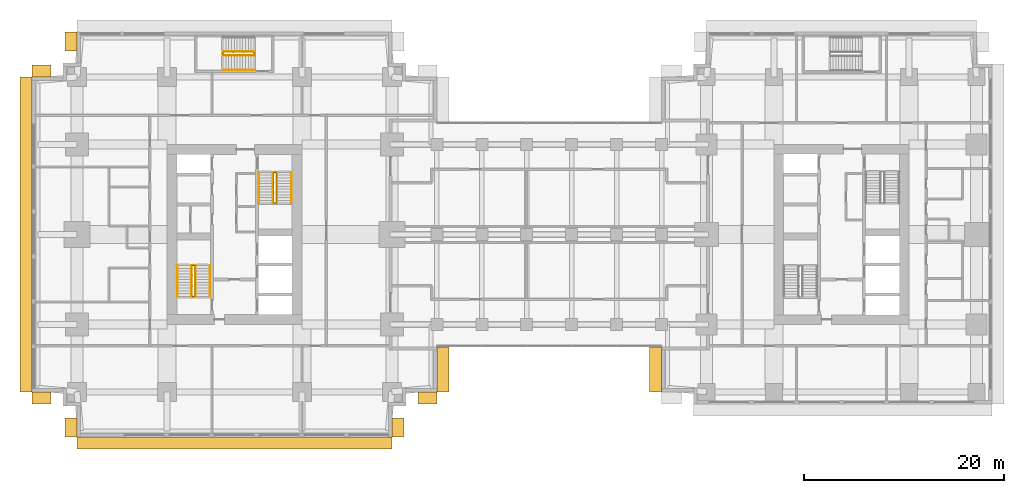
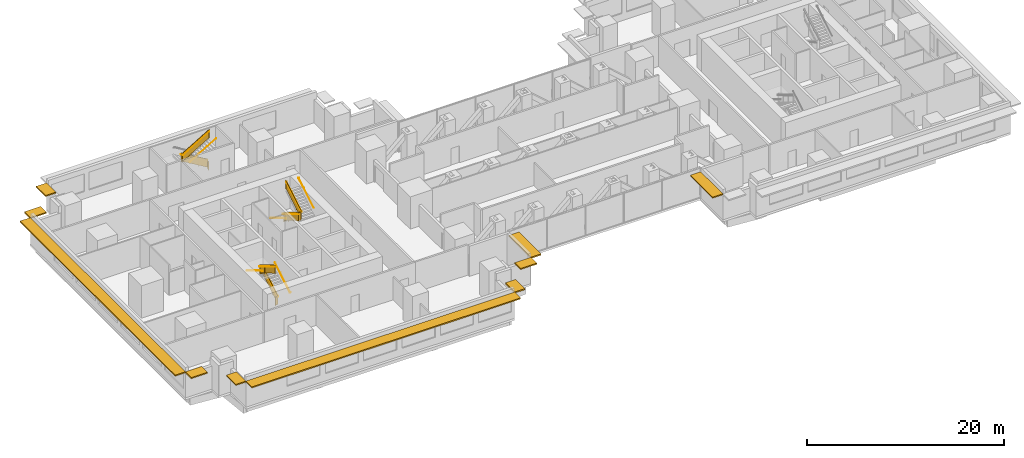
# One storey, part 14 of 16: 14 railings, 10 shading devices.
"""IFC4 building model written with IfcOpenShell, lengths in metres."""

from ifc_helpers import new_model, si_unit, direction, frame, origin, origin_2d, place, context, subcontext, project, spatial, polyline, rectangle, circle, outline, extrude, material, layer, layer_set, type_object, element, save


model = new_model("IFC4")

# Units and contexts
model_context = context("Model", 3, precision=1e-05, world=origin(), true_north=direction((0.0, 1.0)))
body_context = subcontext(model_context, "Body", "Model", "MODEL_VIEW")
ifc_project = project(units=[si_unit("LENGTHUNIT", "METRE"), si_unit("AREAUNIT", "SQUARE_METRE"), si_unit("VOLUMEUNIT", "CUBIC_METRE"), si_unit("PLANEANGLEUNIT", "RADIAN"), si_unit("MASSUNIT", "GRAM", prefix="KILO")], contexts=[model_context])

# Site, building, storey
site_placement = place(None, origin())
site = spatial("IfcSite", under=ifc_project, at=site_placement, CompositionType="ELEMENT")
building_placement = place(site_placement, origin())
building = spatial("IfcBuilding", under=site, at=building_placement, Name="Namib Vertical Campus", CompositionType="ELEMENT")
storey_placement = place(building_placement, frame((0.0, 0.0, 117.0)))
storey = spatial("IfcBuildingStorey", under=building, at=storey_placement, Name="L27", CompositionType="ELEMENT", Elevation=117.0)

# Railings
ifc_material_1 = material(Name="Steel handrail", Category="steel")
railing_type_1 = type_object("IfcRailingType", Name="Handrail 900", PredefinedType="HANDRAIL", material=ifc_material_1)
railing_1_placement = place(storey_placement, frame((17.800048828125, 14.050048828125, 0.166748046875)))
element("IfcRailing", 1, at=railing_1_placement, inside=storey, type_object=railing_type_1, Name="Handrail HR1 A-S1 L27 1", PredefinedType="HANDRAIL", context=body_context, shape_type="SweptSolid", body=[
    extrude(circle(Radius=0.02392578125, at=origin_2d()), frame((0.0, 0.0, 0.8759765625), z_axis=(0.0, 0.859290745958, 0.51148745235), x_axis=(-1.0, 0.0, 0.0)), (0.0, 0.0, 1.0), 3.584228515625),
    extrude(circle(Radius=0.008056640625, at=origin_2d()), frame((0.0, 0.0, 0.8759765625), z_axis=(1.0, 0.0, 0.0), x_axis=(0.0, 0.0, 1.0)), (0.0, 0.0, 1.0), 0.050048828125),
    extrude(circle(Radius=0.008056640625, at=origin_2d()), frame((0.0, 1.026611328125, 1.48681640625), z_axis=(1.0, 0.0, 0.0), x_axis=(0.0, 0.0, 1.0)), (0.0, 0.0, 1.0), 0.050048828125),
    extrude(circle(Radius=0.008056640625, at=origin_2d()), frame((0.0, 2.05322265625, 2.09814453125), z_axis=(1.0, 0.0, 0.0), x_axis=(0.0, 0.0, 1.0)), (0.0, 0.0, 1.0), 0.050048828125),
    extrude(circle(Radius=0.008056640625, at=origin_2d()), frame((0.0, 3.079833984375, 2.708984375), z_axis=(1.0, 0.0, 0.0), x_axis=(0.0, 0.0, 1.0)), (0.0, 0.0, 1.0), 0.050048828125),
])
railing_2_placement = place(storey_placement, frame((14.550048828125, 17.1298828125, 2.166748046875)))
element("IfcRailing", 2, at=railing_2_placement, inside=storey, type_object=railing_type_1, Name="Handrail HR1 A-S1 L27 2", PredefinedType="HANDRAIL", context=body_context, shape_type="SweptSolid", body=[
    extrude(circle(Radius=0.02392578125, at=origin_2d()), frame((0.0, 0.0, 0.8759765625), z_axis=(0.0, -0.859290745958, 0.51148745235), x_axis=(1.0, 0.0, 0.0)), (0.0, 0.0, 1.0), 3.584228515625),
    extrude(circle(Radius=0.008056640625, at=origin_2d()), frame((0.0, 0.0, 0.8759765625), z_axis=(-1.0, 0.0, 0.0), x_axis=(0.0, 0.0, 1.0)), (0.0, 0.0, 1.0), 0.050048828125),
    extrude(circle(Radius=0.008056640625, at=origin_2d()), frame((0.0, -1.026611328125, 1.48681640625), z_axis=(-1.0, 0.0, 0.0), x_axis=(0.0, 0.0, 1.0)), (0.0, 0.0, 1.0), 0.050048828125),
    extrude(circle(Radius=0.008056640625, at=origin_2d()), frame((0.0, -2.05322265625, 2.09814453125), z_axis=(-1.0, 0.0, 0.0), x_axis=(0.0, 0.0, 1.0)), (0.0, 0.0, 1.0), 0.050048828125),
    extrude(circle(Radius=0.008056640625, at=origin_2d()), frame((0.0, -3.079833984375, 2.708984375), z_axis=(-1.0, 0.0, 0.0), x_axis=(0.0, 0.0, 1.0)), (0.0, 0.0, 1.0), 0.050048828125),
])
railing_3_placement = place(storey_placement, frame((16.375, 14.050048828125, 0.166748046875)))
element("IfcRailing", 3, at=railing_3_placement, inside=storey, type_object=railing_type_1, Name="Handrail HR1 A-S1 L27 1 at the well", PredefinedType="HANDRAIL", context=body_context, shape_type="SweptSolid", body=[
    extrude(circle(Radius=0.02392578125, at=origin_2d()), frame((0.0, 0.0, 0.8759765625), z_axis=(0.0, 0.859290745958, 0.51148745235), x_axis=(-1.0, 0.0, 0.0)), (0.0, 0.0, 1.0), 3.584228515625),
    extrude(circle(Radius=0.008056640625, at=origin_2d()), frame((0.0, 0.0, 0.8759765625), z_axis=(-1.0, 0.0, 0.0), x_axis=(0.0, 0.0, 1.0)), (0.0, 0.0, 1.0), 0.0400390625),
    extrude(circle(Radius=0.008056640625, at=origin_2d()), frame((0.0, 1.026611328125, 1.48681640625), z_axis=(-1.0, 0.0, 0.0), x_axis=(0.0, 0.0, 1.0)), (0.0, 0.0, 1.0), 0.0400390625),
    extrude(circle(Radius=0.008056640625, at=origin_2d()), frame((0.0, 2.05322265625, 2.09814453125), z_axis=(-1.0, 0.0, 0.0), x_axis=(0.0, 0.0, 1.0)), (0.0, 0.0, 1.0), 0.0400390625),
    extrude(circle(Radius=0.008056640625, at=origin_2d()), frame((0.0, 3.079833984375, 2.708984375), z_axis=(-1.0, 0.0, 0.0), x_axis=(0.0, 0.0, 1.0)), (0.0, 0.0, 1.0), 0.0400390625),
])
railing_4_placement = place(storey_placement, frame((15.97509765625, 17.1298828125, 2.166748046875)))
element("IfcRailing", 4, at=railing_4_placement, inside=storey, type_object=railing_type_1, Name="Handrail HR1 A-S1 L27 2 at the well", PredefinedType="HANDRAIL", context=body_context, shape_type="SweptSolid", body=[
    extrude(circle(Radius=0.02392578125, at=origin_2d()), frame((0.0, 0.0, 0.8759765625), z_axis=(0.0, -0.859290745958, 0.51148745235), x_axis=(1.0, 0.0, 0.0)), (0.0, 0.0, 1.0), 3.584228515625),
    extrude(circle(Radius=0.008056640625, at=origin_2d()), frame((0.0, 0.0, 0.8759765625), z_axis=(1.0, 0.0, 0.0), x_axis=(0.0, 0.0, 1.0)), (0.0, 0.0, 1.0), 0.0400390625),
    extrude(circle(Radius=0.008056640625, at=origin_2d()), frame((0.0, -1.026611328125, 1.48681640625), z_axis=(1.0, 0.0, 0.0), x_axis=(0.0, 0.0, 1.0)), (0.0, 0.0, 1.0), 0.0400390625),
    extrude(circle(Radius=0.008056640625, at=origin_2d()), frame((0.0, -2.05322265625, 2.09814453125), z_axis=(1.0, 0.0, 0.0), x_axis=(0.0, 0.0, 1.0)), (0.0, 0.0, 1.0), 0.0400390625),
    extrude(circle(Radius=0.008056640625, at=origin_2d()), frame((0.0, -3.079833984375, 2.708984375), z_axis=(1.0, 0.0, 0.0), x_axis=(0.0, 0.0, 1.0)), (0.0, 0.0, 1.0), 0.0400390625),
])
railing_5_placement = place(storey_placement, frame((22.699951171875, 26.449951171875, 0.166748046875)))
element("IfcRailing", 5, at=railing_5_placement, inside=storey, type_object=railing_type_1, Name="Handrail HR1 A-S2 L27 1", PredefinedType="HANDRAIL", context=body_context, shape_type="SweptSolid", body=[
    extrude(circle(Radius=0.02392578125, at=origin_2d()), frame((0.0, 0.0, 0.8759765625), z_axis=(0.0, -0.859290745958, 0.51148745235), x_axis=(1.0, 0.0, 0.0)), (0.0, 0.0, 1.0), 3.584228515625),
    extrude(circle(Radius=0.008056640625, at=origin_2d()), frame((0.0, 0.0, 0.8759765625), z_axis=(-1.0, 0.0, 0.0), x_axis=(0.0, 0.0, 1.0)), (0.0, 0.0, 1.0), 0.050048828125),
    extrude(circle(Radius=0.008056640625, at=origin_2d()), frame((0.0, -1.026611328125, 1.48681640625), z_axis=(-1.0, 0.0, 0.0), x_axis=(0.0, 0.0, 1.0)), (0.0, 0.0, 1.0), 0.050048828125),
    extrude(circle(Radius=0.008056640625, at=origin_2d()), frame((0.0, -2.05322265625, 2.09814453125), z_axis=(-1.0, 0.0, 0.0), x_axis=(0.0, 0.0, 1.0)), (0.0, 0.0, 1.0), 0.050048828125),
    extrude(circle(Radius=0.008056640625, at=origin_2d()), frame((0.0, -3.079833984375, 2.708984375), z_axis=(-1.0, 0.0, 0.0), x_axis=(0.0, 0.0, 1.0)), (0.0, 0.0, 1.0), 0.050048828125),
])
railing_6_placement = place(storey_placement, frame((25.949951171875, 23.3701171875, 2.166748046875)))
element("IfcRailing", 6, at=railing_6_placement, inside=storey, type_object=railing_type_1, Name="Handrail HR1 A-S2 L27 2", PredefinedType="HANDRAIL", context=body_context, shape_type="SweptSolid", body=[
    extrude(circle(Radius=0.02392578125, at=origin_2d()), frame((0.0, 0.0, 0.8759765625), z_axis=(0.0, 0.859290745958, 0.51148745235), x_axis=(-1.0, 0.0, 0.0)), (0.0, 0.0, 1.0), 3.584228515625),
    extrude(circle(Radius=0.008056640625, at=origin_2d()), frame((0.0, 0.0, 0.8759765625), z_axis=(1.0, 0.0, 0.0), x_axis=(0.0, 0.0, 1.0)), (0.0, 0.0, 1.0), 0.050048828125),
    extrude(circle(Radius=0.008056640625, at=origin_2d()), frame((0.0, 1.026611328125, 1.48681640625), z_axis=(1.0, 0.0, 0.0), x_axis=(0.0, 0.0, 1.0)), (0.0, 0.0, 1.0), 0.050048828125),
    extrude(circle(Radius=0.008056640625, at=origin_2d()), frame((0.0, 2.05322265625, 2.09814453125), z_axis=(1.0, 0.0, 0.0), x_axis=(0.0, 0.0, 1.0)), (0.0, 0.0, 1.0), 0.050048828125),
    extrude(circle(Radius=0.008056640625, at=origin_2d()), frame((0.0, 3.079833984375, 2.708984375), z_axis=(1.0, 0.0, 0.0), x_axis=(0.0, 0.0, 1.0)), (0.0, 0.0, 1.0), 0.050048828125),
])
railing_7_placement = place(storey_placement, frame((24.125, 26.449951171875, 0.166748046875)))
element("IfcRailing", 7, at=railing_7_placement, inside=storey, type_object=railing_type_1, Name="Handrail HR1 A-S2 L27 1 at the well", PredefinedType="HANDRAIL", context=body_context, shape_type="SweptSolid", body=[
    extrude(circle(Radius=0.02392578125, at=origin_2d()), frame((0.0, 0.0, 0.8759765625), z_axis=(0.0, -0.859290745958, 0.51148745235), x_axis=(1.0, 0.0, 0.0)), (0.0, 0.0, 1.0), 3.584228515625),
    extrude(circle(Radius=0.008056640625, at=origin_2d()), frame((0.0, 0.0, 0.8759765625), z_axis=(1.0, 0.0, 0.0), x_axis=(0.0, 0.0, 1.0)), (0.0, 0.0, 1.0), 0.0400390625),
    extrude(circle(Radius=0.008056640625, at=origin_2d()), frame((0.0, -1.026611328125, 1.48681640625), z_axis=(1.0, 0.0, 0.0), x_axis=(0.0, 0.0, 1.0)), (0.0, 0.0, 1.0), 0.0400390625),
    extrude(circle(Radius=0.008056640625, at=origin_2d()), frame((0.0, -2.05322265625, 2.09814453125), z_axis=(1.0, 0.0, 0.0), x_axis=(0.0, 0.0, 1.0)), (0.0, 0.0, 1.0), 0.0400390625),
    extrude(circle(Radius=0.008056640625, at=origin_2d()), frame((0.0, -3.079833984375, 2.708984375), z_axis=(1.0, 0.0, 0.0), x_axis=(0.0, 0.0, 1.0)), (0.0, 0.0, 1.0), 0.0400390625),
])
railing_8_placement = place(storey_placement, frame((24.52490234375, 23.3701171875, 2.166748046875)))
element("IfcRailing", 8, at=railing_8_placement, inside=storey, type_object=railing_type_1, Name="Handrail HR1 A-S2 L27 2 at the well", PredefinedType="HANDRAIL", context=body_context, shape_type="SweptSolid", body=[
    extrude(circle(Radius=0.02392578125, at=origin_2d()), frame((0.0, 0.0, 0.8759765625), z_axis=(0.0, 0.859290745958, 0.51148745235), x_axis=(-1.0, 0.0, 0.0)), (0.0, 0.0, 1.0), 3.584228515625),
    extrude(circle(Radius=0.008056640625, at=origin_2d()), frame((0.0, 0.0, 0.8759765625), z_axis=(-1.0, 0.0, 0.0), x_axis=(0.0, 0.0, 1.0)), (0.0, 0.0, 1.0), 0.0400390625),
    extrude(circle(Radius=0.008056640625, at=origin_2d()), frame((0.0, 1.026611328125, 1.48681640625), z_axis=(-1.0, 0.0, 0.0), x_axis=(0.0, 0.0, 1.0)), (0.0, 0.0, 1.0), 0.0400390625),
    extrude(circle(Radius=0.008056640625, at=origin_2d()), frame((0.0, 2.05322265625, 2.09814453125), z_axis=(-1.0, 0.0, 0.0), x_axis=(0.0, 0.0, 1.0)), (0.0, 0.0, 1.0), 0.0400390625),
    extrude(circle(Radius=0.008056640625, at=origin_2d()), frame((0.0, 3.079833984375, 2.708984375), z_axis=(-1.0, 0.0, 0.0), x_axis=(0.0, 0.0, 1.0)), (0.0, 0.0, 1.0), 0.0400390625),
])
railing_9_placement = place(storey_placement, frame((19.1201171875, 36.699951171875, 2.166748046875)))
element("IfcRailing", 9, at=railing_9_placement, inside=storey, type_object=railing_type_1, Name="Handrail HR1 A-S3 L27 2", PredefinedType="HANDRAIL", context=body_context, shape_type="SweptSolid", body=[
    extrude(circle(Radius=0.02392578125, at=origin_2d()), frame((0.0, 0.0, 0.8759765625), z_axis=(0.859290745958, 0.0, 0.51148745235), x_axis=(0.0, 1.0, 0.0)), (0.0, 0.0, 1.0), 3.584228515625),
    extrude(circle(Radius=0.008056640625, at=origin_2d()), frame((0.0, 0.0, 0.8759765625), z_axis=(0.0, -1.0, 0.0), x_axis=(0.0, 0.0, 1.0)), (0.0, 0.0, 1.0), 0.050048828125),
    extrude(circle(Radius=0.008056640625, at=origin_2d()), frame((1.026611328125, 0.0, 1.48681640625), z_axis=(0.0, -1.0, 0.0), x_axis=(0.0, 0.0, 1.0)), (0.0, 0.0, 1.0), 0.050048828125),
    extrude(circle(Radius=0.008056640625, at=origin_2d()), frame((2.05322265625, 0.0, 2.09814453125), z_axis=(0.0, -1.0, 0.0), x_axis=(0.0, 0.0, 1.0)), (0.0, 0.0, 1.0), 0.050048828125),
    extrude(circle(Radius=0.008056640625, at=origin_2d()), frame((3.079833984375, 0.0, 2.708984375), z_axis=(0.0, -1.0, 0.0), x_axis=(0.0, 0.0, 1.0)), (0.0, 0.0, 1.0), 0.050048828125),
])
railing_10_placement = place(storey_placement, frame((22.199951171875, 38.52490234375, 0.166748046875)))
element("IfcRailing", 10, at=railing_10_placement, inside=storey, type_object=railing_type_1, Name="Handrail HR1 A-S3 L27 1 at the well", PredefinedType="HANDRAIL", context=body_context, shape_type="SweptSolid", body=[
    extrude(circle(Radius=0.02392578125, at=origin_2d()), frame((0.0, 0.0, 0.8759765625), z_axis=(-0.859290745958, 0.0, 0.51148745235), x_axis=(0.0, -1.0, 0.0)), (0.0, 0.0, 1.0), 3.584228515625),
    extrude(circle(Radius=0.008056640625, at=origin_2d()), frame((0.0, 0.0, 0.8759765625), z_axis=(0.0, -1.0, 0.0), x_axis=(0.0, 0.0, 1.0)), (0.0, 0.0, 1.0), 0.0400390625),
    extrude(circle(Radius=0.008056640625, at=origin_2d()), frame((-1.026611328125, 0.0, 1.48681640625), z_axis=(0.0, -1.0, 0.0), x_axis=(0.0, 0.0, 1.0)), (0.0, 0.0, 1.0), 0.0400390625),
    extrude(circle(Radius=0.008056640625, at=origin_2d()), frame((-2.05322265625, 0.0, 2.09814453125), z_axis=(0.0, -1.0, 0.0), x_axis=(0.0, 0.0, 1.0)), (0.0, 0.0, 1.0), 0.0400390625),
    extrude(circle(Radius=0.008056640625, at=origin_2d()), frame((-3.079833984375, 0.0, 2.708984375), z_axis=(0.0, -1.0, 0.0), x_axis=(0.0, 0.0, 1.0)), (0.0, 0.0, 1.0), 0.0400390625),
])
railing_11_placement = place(storey_placement, frame((19.1201171875, 38.125, 2.166748046875)))
element("IfcRailing", 11, at=railing_11_placement, inside=storey, type_object=railing_type_1, Name="Handrail HR1 A-S3 L27 2 at the well", PredefinedType="HANDRAIL", context=body_context, shape_type="SweptSolid", body=[
    extrude(circle(Radius=0.02392578125, at=origin_2d()), frame((0.0, 0.0, 0.8759765625), z_axis=(0.859290745958, 0.0, 0.51148745235), x_axis=(0.0, 1.0, 0.0)), (0.0, 0.0, 1.0), 3.584228515625),
    extrude(circle(Radius=0.008056640625, at=origin_2d()), frame((0.0, 0.0, 0.8759765625), z_axis=(0.0, 1.0, 0.0), x_axis=(0.0, 0.0, 1.0)), (0.0, 0.0, 1.0), 0.0400390625),
    extrude(circle(Radius=0.008056640625, at=origin_2d()), frame((1.026611328125, 0.0, 1.48681640625), z_axis=(0.0, 1.0, 0.0), x_axis=(0.0, 0.0, 1.0)), (0.0, 0.0, 1.0), 0.0400390625),
    extrude(circle(Radius=0.008056640625, at=origin_2d()), frame((2.05322265625, 0.0, 2.09814453125), z_axis=(0.0, 1.0, 0.0), x_axis=(0.0, 0.0, 1.0)), (0.0, 0.0, 1.0), 0.0400390625),
    extrude(circle(Radius=0.008056640625, at=origin_2d()), frame((3.079833984375, 0.0, 2.708984375), z_axis=(0.0, 1.0, 0.0), x_axis=(0.0, 0.0, 1.0)), (0.0, 0.0, 1.0), 0.0400390625),
])
ifc_material_2 = material(Name="Steel balustrade", Category="steel")
railing_type_2 = type_object("IfcRailingType", Name="Stair guard 1100", PredefinedType="GUARDRAIL", material=ifc_material_2)
railing_12_placement = place(storey_placement, frame((16.02490234375, 14.050048828125, 0.0)))
element("IfcRailing", 12, at=railing_12_placement, inside=storey, type_object=railing_type_2, Name="Stair guard GR1 A-S1 L27", PredefinedType="GUARDRAIL", context=body_context, shape_type="SweptSolid", body=[
    extrude(circle(Radius=0.02392578125, at=origin_2d()), frame((0.0, 0.0, 1.076171875), z_axis=(1.0, 0.0, 0.0), x_axis=(0.0, 1.0, 0.0)), (0.0, 0.0, 1.0), 0.300048828125),
    extrude(outline(polyline([(0.02099609375, 0.050048828125), (0.279052734375, 0.050048828125), (0.279052734375, 1.052001953125), (0.02099609375, 1.052001953125), (0.02099609375, 0.050048828125)])), frame((0.0, 0.010009765625, 0.0), z_axis=(0.0, -1.0, 0.0), x_axis=(1.0, 0.0, 0.0)), (0.0, 0.0, 1.0), 0.02001953125),
    extrude(circle(Radius=0.02392578125, at=origin_2d()), frame((0.300048828125, 0.0, 1.076171875), z_axis=(0.0, 0.0, 1.0), x_axis=(1.0, 0.0, 0.0)), (0.0, 0.0, 1.0), 0.166748046875),
    extrude(circle(Radius=0.02392578125, at=origin_2d()), frame((0.300048828125, 0.0, 1.24267578125), z_axis=(0.0, 0.859290745958, 0.51148745235), x_axis=(-1.0, 0.0, 0.0)), (0.0, 0.0, 1.0), 3.584228515625),
    extrude(outline(polyline([(0.02099609375, 0.0625), (3.058837890625, 1.870849609375), (3.058837890625, 2.872802734375), (0.02099609375, 1.064453125), (0.02099609375, 0.0625)])), frame((0.2900390625, 0.0, 0.166748046875), z_axis=(1.0, 0.0, 0.0), x_axis=(0.0, 1.0, 0.0)), (0.0, 0.0, 1.0), 0.02001953125),
    extrude(circle(Radius=0.02392578125, at=origin_2d()), frame((0.300048828125, 3.079833984375, 3.076171875), z_axis=(-1.0, 0.0, 0.0), x_axis=(0.0, -1.0, 0.0)), (0.0, 0.0, 1.0), 0.300048828125),
    extrude(outline(polyline([(0.02099609375, 0.050048828125), (0.279052734375, 0.050048828125), (0.279052734375, 1.052001953125), (0.02099609375, 1.052001953125), (0.02099609375, 0.050048828125)])), frame((0.300048828125, 3.06982421875, 2.0), z_axis=(0.0, 1.0, 0.0), x_axis=(-1.0, 0.0, 0.0)), (0.0, 0.0, 1.0), 0.02001953125),
    extrude(circle(Radius=0.02392578125, at=origin_2d()), frame((0.0, 3.079833984375, 3.076171875), z_axis=(0.0, 0.0, 1.0), x_axis=(1.0, 0.0, 0.0)), (0.0, 0.0, 1.0), 0.166748046875),
    extrude(circle(Radius=0.02392578125, at=origin_2d()), frame((0.0, 3.079833984375, 3.24267578125), z_axis=(0.0, -0.859290745958, 0.51148745235), x_axis=(1.0, 0.0, 0.0)), (0.0, 0.0, 1.0), 3.584228515625),
    extrude(outline(polyline([(0.02099609375, 0.0625), (3.058837890625, 1.870849609375), (3.058837890625, 2.872802734375), (0.02099609375, 1.064453125), (0.02099609375, 0.0625)])), frame((0.010009765625, 3.079833984375, 2.166748046875), z_axis=(-1.0, 0.0, 0.0), x_axis=(0.0, -1.0, 0.0)), (0.0, 0.0, 1.0), 0.02001953125),
    extrude(circle(Radius=0.02392578125, at=origin_2d()), frame((0.0, 0.0, 5.076171875), z_axis=(0.0, -1.0, 0.0), x_axis=(1.0, 0.0, 0.0)), (0.0, 0.0, 1.0), 0.050048828125),
    extrude(outline(polyline([(0.02099609375, 0.050048828125), (0.029052734375, 0.050048828125), (0.029052734375, 1.052001953125), (0.02099609375, 1.052001953125), (0.02099609375, 0.050048828125)])), frame((0.010009765625, 0.0, 4.0), z_axis=(-1.0, 0.0, 0.0), x_axis=(0.0, -1.0, 0.0)), (0.0, 0.0, 1.0), 0.02001953125),
    extrude(circle(Radius=0.02099609375, at=origin_2d()), origin(), (0.0, 0.0, 1.0), 1.052001953125),
    extrude(circle(Radius=0.02099609375, at=origin_2d()), frame((0.300048828125, 0.0, 0.166748046875)), (0.0, 0.0, 1.0), 1.052001953125),
    extrude(circle(Radius=0.02099609375, at=origin_2d()), frame((0.300048828125, 1.026611328125, 0.666748046875)), (0.0, 0.0, 1.0), 1.1630859375),
    extrude(circle(Radius=0.02099609375, at=origin_2d()), frame((0.300048828125, 2.05322265625, 1.33349609375)), (0.0, 0.0, 1.0), 1.107421875),
    extrude(circle(Radius=0.02099609375, at=origin_2d()), frame((0.300048828125, 3.079833984375, 2.0)), (0.0, 0.0, 1.0), 1.052001953125),
    extrude(circle(Radius=0.02099609375, at=origin_2d()), frame((0.0, 3.079833984375, 2.166748046875)), (0.0, 0.0, 1.0), 1.052001953125),
    extrude(circle(Radius=0.02099609375, at=origin_2d()), frame((0.0, 2.05322265625, 2.666748046875)), (0.0, 0.0, 1.0), 1.1630859375),
    extrude(circle(Radius=0.02099609375, at=origin_2d()), frame((0.0, 1.026611328125, 3.33349609375)), (0.0, 0.0, 1.0), 1.107421875),
    extrude(circle(Radius=0.02099609375, at=origin_2d()), frame((0.0, 0.0, 4.0)), (0.0, 0.0, 1.0), 1.052001953125),
    extrude(circle(Radius=0.02099609375, at=origin_2d()), frame((0.0, -0.050048828125, 4.0)), (0.0, 0.0, 1.0), 1.052001953125),
])
railing_13_placement = place(storey_placement, frame((24.47509765625, 26.449951171875, 0.0)))
element("IfcRailing", 13, at=railing_13_placement, inside=storey, type_object=railing_type_2, Name="Stair guard GR1 A-S2 L27", PredefinedType="GUARDRAIL", context=body_context, shape_type="SweptSolid", body=[
    extrude(circle(Radius=0.02392578125, at=origin_2d()), frame((0.0, 0.0, 1.076171875), z_axis=(-1.0, 0.0, 0.0), x_axis=(0.0, -1.0, 0.0)), (0.0, 0.0, 1.0), 0.300048828125),
    extrude(outline(polyline([(0.02099609375, 0.050048828125), (0.279052734375, 0.050048828125), (0.279052734375, 1.052001953125), (0.02099609375, 1.052001953125), (0.02099609375, 0.050048828125)])), frame((0.0, -0.010009765625, 0.0), z_axis=(0.0, 1.0, 0.0), x_axis=(-1.0, 0.0, 0.0)), (0.0, 0.0, 1.0), 0.02001953125),
    extrude(circle(Radius=0.02392578125, at=origin_2d()), frame((-0.300048828125, 0.0, 1.076171875), z_axis=(0.0, 0.0, 1.0), x_axis=(1.0, 0.0, 0.0)), (0.0, 0.0, 1.0), 0.166748046875),
    extrude(circle(Radius=0.02392578125, at=origin_2d()), frame((-0.300048828125, 0.0, 1.24267578125), z_axis=(0.0, -0.859290745958, 0.51148745235), x_axis=(1.0, 0.0, 0.0)), (0.0, 0.0, 1.0), 3.584228515625),
    extrude(outline(polyline([(0.02099609375, 0.0625), (3.058837890625, 1.870849609375), (3.058837890625, 2.872802734375), (0.02099609375, 1.064453125), (0.02099609375, 0.0625)])), frame((-0.2900390625, 0.0, 0.166748046875), z_axis=(-1.0, 0.0, 0.0), x_axis=(0.0, -1.0, 0.0)), (0.0, 0.0, 1.0), 0.02001953125),
    extrude(circle(Radius=0.02392578125, at=origin_2d()), frame((-0.300048828125, -3.079833984375, 3.076171875), z_axis=(1.0, 0.0, 0.0), x_axis=(0.0, 1.0, 0.0)), (0.0, 0.0, 1.0), 0.300048828125),
    extrude(outline(polyline([(0.02099609375, 0.050048828125), (0.279052734375, 0.050048828125), (0.279052734375, 1.052001953125), (0.02099609375, 1.052001953125), (0.02099609375, 0.050048828125)])), frame((-0.300048828125, -3.06982421875, 2.0), z_axis=(0.0, -1.0, 0.0), x_axis=(1.0, 0.0, 0.0)), (0.0, 0.0, 1.0), 0.02001953125),
    extrude(circle(Radius=0.02392578125, at=origin_2d()), frame((0.0, -3.079833984375, 3.076171875), z_axis=(0.0, 0.0, 1.0), x_axis=(1.0, 0.0, 0.0)), (0.0, 0.0, 1.0), 0.166748046875),
    extrude(circle(Radius=0.02392578125, at=origin_2d()), frame((0.0, -3.079833984375, 3.24267578125), z_axis=(0.0, 0.859290745958, 0.51148745235), x_axis=(-1.0, 0.0, 0.0)), (0.0, 0.0, 1.0), 3.584228515625),
    extrude(outline(polyline([(0.02099609375, 0.0625), (3.058837890625, 1.870849609375), (3.058837890625, 2.872802734375), (0.02099609375, 1.064453125), (0.02099609375, 0.0625)])), frame((-0.010009765625, -3.079833984375, 2.166748046875), z_axis=(1.0, 0.0, 0.0), x_axis=(0.0, 1.0, 0.0)), (0.0, 0.0, 1.0), 0.02001953125),
    extrude(circle(Radius=0.02392578125, at=origin_2d()), frame((0.0, 0.0, 5.076171875), z_axis=(0.0, 1.0, 0.0), x_axis=(-1.0, 0.0, 0.0)), (0.0, 0.0, 1.0), 0.050048828125),
    extrude(outline(polyline([(0.02099609375, 0.050048828125), (0.029052734375, 0.050048828125), (0.029052734375, 1.052001953125), (0.02099609375, 1.052001953125), (0.02099609375, 0.050048828125)])), frame((-0.010009765625, 0.0, 4.0), z_axis=(1.0, 0.0, 0.0), x_axis=(0.0, 1.0, 0.0)), (0.0, 0.0, 1.0), 0.02001953125),
    extrude(circle(Radius=0.02099609375, at=origin_2d()), origin(), (0.0, 0.0, 1.0), 1.052001953125),
    extrude(circle(Radius=0.02099609375, at=origin_2d()), frame((-0.300048828125, 0.0, 0.166748046875)), (0.0, 0.0, 1.0), 1.052001953125),
    extrude(circle(Radius=0.02099609375, at=origin_2d()), frame((-0.300048828125, -1.026611328125, 0.666748046875)), (0.0, 0.0, 1.0), 1.1630859375),
    extrude(circle(Radius=0.02099609375, at=origin_2d()), frame((-0.300048828125, -2.05322265625, 1.33349609375)), (0.0, 0.0, 1.0), 1.107421875),
    extrude(circle(Radius=0.02099609375, at=origin_2d()), frame((-0.300048828125, -3.079833984375, 2.0)), (0.0, 0.0, 1.0), 1.052001953125),
    extrude(circle(Radius=0.02099609375, at=origin_2d()), frame((0.0, -3.079833984375, 2.166748046875)), (0.0, 0.0, 1.0), 1.052001953125),
    extrude(circle(Radius=0.02099609375, at=origin_2d()), frame((0.0, -2.05322265625, 2.666748046875)), (0.0, 0.0, 1.0), 1.1630859375),
    extrude(circle(Radius=0.02099609375, at=origin_2d()), frame((0.0, -1.026611328125, 3.33349609375)), (0.0, 0.0, 1.0), 1.107421875),
    extrude(circle(Radius=0.02099609375, at=origin_2d()), frame((0.0, 0.0, 4.0)), (0.0, 0.0, 1.0), 1.052001953125),
    extrude(circle(Radius=0.02099609375, at=origin_2d()), frame((0.0, 0.050048828125, 4.0)), (0.0, 0.0, 1.0), 1.052001953125),
])
railing_14_placement = place(storey_placement, frame((22.199951171875, 38.175048828125, 0.0)))
element("IfcRailing", 14, at=railing_14_placement, inside=storey, type_object=railing_type_2, Name="Stair guard GR1 A-S3 L27", PredefinedType="GUARDRAIL", context=body_context, shape_type="SweptSolid", body=[
    extrude(circle(Radius=0.02392578125, at=origin_2d()), frame((0.0, 0.0, 1.076171875), z_axis=(0.0, 1.0, 0.0), x_axis=(-1.0, 0.0, 0.0)), (0.0, 0.0, 1.0), 0.300048828125),
    extrude(outline(polyline([(0.02099609375, 0.050048828125), (0.279052734375, 0.050048828125), (0.279052734375, 1.052001953125), (0.02099609375, 1.052001953125), (0.02099609375, 0.050048828125)])), frame((-0.010009765625, 0.0, 0.0), z_axis=(1.0, 0.0, 0.0), x_axis=(0.0, 1.0, 0.0)), (0.0, 0.0, 1.0), 0.02001953125),
    extrude(circle(Radius=0.02392578125, at=origin_2d()), frame((0.0, 0.300048828125, 1.076171875), z_axis=(0.0, 0.0, 1.0), x_axis=(1.0, 0.0, 0.0)), (0.0, 0.0, 1.0), 0.166748046875),
    extrude(circle(Radius=0.02392578125, at=origin_2d()), frame((0.0, 0.300048828125, 1.24267578125), z_axis=(-0.859290745958, 0.0, 0.51148745235), x_axis=(0.0, -1.0, 0.0)), (0.0, 0.0, 1.0), 3.584228515625),
    extrude(outline(polyline([(0.02099609375, 0.0625), (3.058837890625, 1.870849609375), (3.058837890625, 2.872802734375), (0.02099609375, 1.064453125), (0.02099609375, 0.0625)])), frame((0.0, 0.2900390625, 0.166748046875), z_axis=(0.0, 1.0, 0.0), x_axis=(-1.0, 0.0, 0.0)), (0.0, 0.0, 1.0), 0.02001953125),
    extrude(circle(Radius=0.02392578125, at=origin_2d()), frame((-3.079833984375, 0.300048828125, 3.076171875), z_axis=(0.0, -1.0, 0.0), x_axis=(1.0, 0.0, 0.0)), (0.0, 0.0, 1.0), 0.300048828125),
    extrude(outline(polyline([(0.02099609375, 0.050048828125), (0.279052734375, 0.050048828125), (0.279052734375, 1.052001953125), (0.02099609375, 1.052001953125), (0.02099609375, 0.050048828125)])), frame((-3.06982421875, 0.300048828125, 2.0), z_axis=(-1.0, 0.0, 0.0), x_axis=(0.0, -1.0, 0.0)), (0.0, 0.0, 1.0), 0.02001953125),
    extrude(circle(Radius=0.02392578125, at=origin_2d()), frame((-3.079833984375, 0.0, 3.076171875), z_axis=(0.0, 0.0, 1.0), x_axis=(1.0, 0.0, 0.0)), (0.0, 0.0, 1.0), 0.166748046875),
    extrude(circle(Radius=0.02392578125, at=origin_2d()), frame((-3.079833984375, 0.0, 3.24267578125), z_axis=(0.859290745958, 0.0, 0.51148745235), x_axis=(0.0, 1.0, 0.0)), (0.0, 0.0, 1.0), 3.584228515625),
    extrude(outline(polyline([(0.02099609375, 0.0625), (3.058837890625, 1.870849609375), (3.058837890625, 2.872802734375), (0.02099609375, 1.064453125), (0.02099609375, 0.0625)])), frame((-3.079833984375, 0.010009765625, 2.166748046875), z_axis=(0.0, -1.0, 0.0), x_axis=(1.0, 0.0, 0.0)), (0.0, 0.0, 1.0), 0.02001953125),
    extrude(circle(Radius=0.02392578125, at=origin_2d()), frame((0.0, 0.0, 5.076171875), z_axis=(1.0, 0.0, 0.0), x_axis=(0.0, 1.0, 0.0)), (0.0, 0.0, 1.0), 0.050048828125),
    extrude(outline(polyline([(0.02099609375, 0.050048828125), (0.029052734375, 0.050048828125), (0.029052734375, 1.052001953125), (0.02099609375, 1.052001953125), (0.02099609375, 0.050048828125)])), frame((0.0, 0.010009765625, 4.0), z_axis=(0.0, -1.0, 0.0), x_axis=(1.0, 0.0, 0.0)), (0.0, 0.0, 1.0), 0.02001953125),
    extrude(circle(Radius=0.02099609375, at=origin_2d()), origin(), (0.0, 0.0, 1.0), 1.052001953125),
    extrude(circle(Radius=0.02099609375, at=origin_2d()), frame((0.0, 0.300048828125, 0.166748046875)), (0.0, 0.0, 1.0), 1.052001953125),
    extrude(circle(Radius=0.02099609375, at=origin_2d()), frame((-1.026611328125, 0.300048828125, 0.666748046875)), (0.0, 0.0, 1.0), 1.1630859375),
    extrude(circle(Radius=0.02099609375, at=origin_2d()), frame((-2.05322265625, 0.300048828125, 1.33349609375)), (0.0, 0.0, 1.0), 1.107421875),
    extrude(circle(Radius=0.02099609375, at=origin_2d()), frame((-3.079833984375, 0.300048828125, 2.0)), (0.0, 0.0, 1.0), 1.052001953125),
    extrude(circle(Radius=0.02099609375, at=origin_2d()), frame((-3.079833984375, 0.0, 2.166748046875)), (0.0, 0.0, 1.0), 1.052001953125),
    extrude(circle(Radius=0.02099609375, at=origin_2d()), frame((-2.05322265625, 0.0, 2.666748046875)), (0.0, 0.0, 1.0), 1.1630859375),
    extrude(circle(Radius=0.02099609375, at=origin_2d()), frame((-1.026611328125, 0.0, 3.33349609375)), (0.0, 0.0, 1.0), 1.107421875),
    extrude(circle(Radius=0.02099609375, at=origin_2d()), frame((0.0, 0.0, 4.0)), (0.0, 0.0, 1.0), 1.052001953125),
    extrude(circle(Radius=0.02099609375, at=origin_2d()), frame((0.050048828125, 0.0, 4.0)), (0.0, 0.0, 1.0), 1.052001953125),
])

# Shading devices
ifc_material_3 = material(Name="Concrete C40/50 precast", Category="concrete")
ifc_layer = layer(ifc_material_3, 0.14990234375)
ifc_layer_set = layer_set([ifc_layer], Name="Concrete C40/50 precast")
shading_device_type = type_object("IfcShadingDeviceType", Name="Sunshade hood 1200", PredefinedType="SHUTTER", material=ifc_layer_set)
shading_device_1_placement = place(storey_placement, frame((3.89990234375, 0.949951171875, 3.10009765625), z_axis=(0.0, 0.0, 1.0), x_axis=(0.0, -1.0, 0.0)))
element("IfcShadingDevice", 15, at=shading_device_1_placement, inside=storey, type_object=shading_device_type, Name="Sunshade SH2 L27 1", PredefinedType="SHUTTER", context=body_context, shape_type="SweptSolid", body=[
    extrude(rectangle(XDim=1.89990234375, YDim=1.199951171875, at=origin_2d()), origin(), (0.0, 0.0, 1.0), 0.14990234375),
])
shading_device_2_placement = place(storey_placement, frame((20.25, -0.60009765625, 3.10009765625), z_axis=(0.0, 0.0, 1.0), x_axis=(1.0, 0.0, 0.0)))
element("IfcShadingDevice", 16, at=shading_device_2_placement, inside=storey, type_object=shading_device_type, Name="Sunshade SH2 L27 2", PredefinedType="SHUTTER", context=body_context, shape_type="SweptSolid", body=[
    extrude(rectangle(XDim=31.5, YDim=1.199951171875, at=origin_2d()), origin(), (0.0, 0.0, 1.0), 0.14990234375),
])
for number, where, z_axis, x_axis, name in (
    (17, (36.60009765625, 0.949951171875, 3.10009765625), (0.0, 0.0, 1.0), (0.0, 1.0, 0.0), "Sunshade SH2 L27 3"),
    (18, (39.550048828125, 3.89990234375, 3.10009765625), (0.0, 0.0, 1.0), (1.0, 0.0, 0.0), "Sunshade SH2 L27 6"),
):
    element("IfcShadingDevice", number, at=place(storey_placement, frame(where, z_axis=z_axis, x_axis=x_axis)), inside=storey, type_object=shading_device_type, Name=name, PredefinedType="SHUTTER", context=body_context, shape_type="SweptSolid", body=[
        extrude(rectangle(XDim=1.89990234375, YDim=1.199951171875, at=origin_2d()), origin(), (0.0, 0.0, 1.0), 0.14990234375),
    ])
shading_device_3_placement = place(storey_placement, frame((41.10009765625, 6.75, 3.10009765625), z_axis=(0.0, 0.0, 1.0), x_axis=(0.0, 1.0, 0.0)))
element("IfcShadingDevice", 19, at=shading_device_3_placement, inside=storey, type_object=shading_device_type, Name="Sunshade SH2 L27 7", PredefinedType="SHUTTER", context=body_context, shape_type="SweptSolid", body=[
    extrude(rectangle(XDim=4.5, YDim=1.199951171875, at=origin_2d()), origin(), (0.0, 0.0, 1.0), 0.14990234375),
])
for number, where, z_axis, x_axis, name in (
    (20, (3.89990234375, 39.550048828125, 3.10009765625), (0.0, 0.0, 1.0), (0.0, -1.0, 0.0), "Sunshade SH2 L27 17"),
    (21, (0.949951171875, 36.60009765625, 3.10009765625), (0.0, 0.0, 1.0), (-1.0, 0.0, 0.0), "Sunshade SH2 L27 20"),
):
    element("IfcShadingDevice", number, at=place(storey_placement, frame(where, z_axis=z_axis, x_axis=x_axis)), inside=storey, type_object=shading_device_type, Name=name, PredefinedType="SHUTTER", context=body_context, shape_type="SweptSolid", body=[
        extrude(rectangle(XDim=1.89990234375, YDim=1.199951171875, at=origin_2d()), origin(), (0.0, 0.0, 1.0), 0.14990234375),
    ])
shading_device_4_placement = place(storey_placement, frame((-0.60009765625, 20.25, 3.10009765625), z_axis=(0.0, 0.0, 1.0), x_axis=(0.0, -1.0, 0.0)))
element("IfcShadingDevice", 22, at=shading_device_4_placement, inside=storey, type_object=shading_device_type, Name="Sunshade SH2 L27 21", PredefinedType="SHUTTER", context=body_context, shape_type="SweptSolid", body=[
    extrude(rectangle(XDim=31.5, YDim=1.199951171875, at=origin_2d()), origin(), (0.0, 0.0, 1.0), 0.14990234375),
])
shading_device_5_placement = place(storey_placement, frame((0.949951171875, 3.89990234375, 3.10009765625), z_axis=(0.0, 0.0, 1.0), x_axis=(1.0, 0.0, 0.0)))
element("IfcShadingDevice", 23, at=shading_device_5_placement, inside=storey, type_object=shading_device_type, Name="Sunshade SH2 L27 22", PredefinedType="SHUTTER", context=body_context, shape_type="SweptSolid", body=[
    extrude(rectangle(XDim=1.89990234375, YDim=1.199951171875, at=origin_2d()), origin(), (0.0, 0.0, 1.0), 0.14990234375),
])
shading_device_6_placement = place(storey_placement, frame((62.39990234375, 6.75, 3.10009765625), z_axis=(0.0, 0.0, 1.0), x_axis=(0.0, -1.0, 0.0)))
element("IfcShadingDevice", 24, at=shading_device_6_placement, inside=storey, type_object=shading_device_type, Name="Sunshade SH2 L27 1", PredefinedType="SHUTTER", context=body_context, shape_type="SweptSolid", body=[
    extrude(rectangle(XDim=4.5, YDim=1.199951171875, at=origin_2d()), origin(), (0.0, 0.0, 1.0), 0.14990234375),
])

save(model, "model.ifc")
